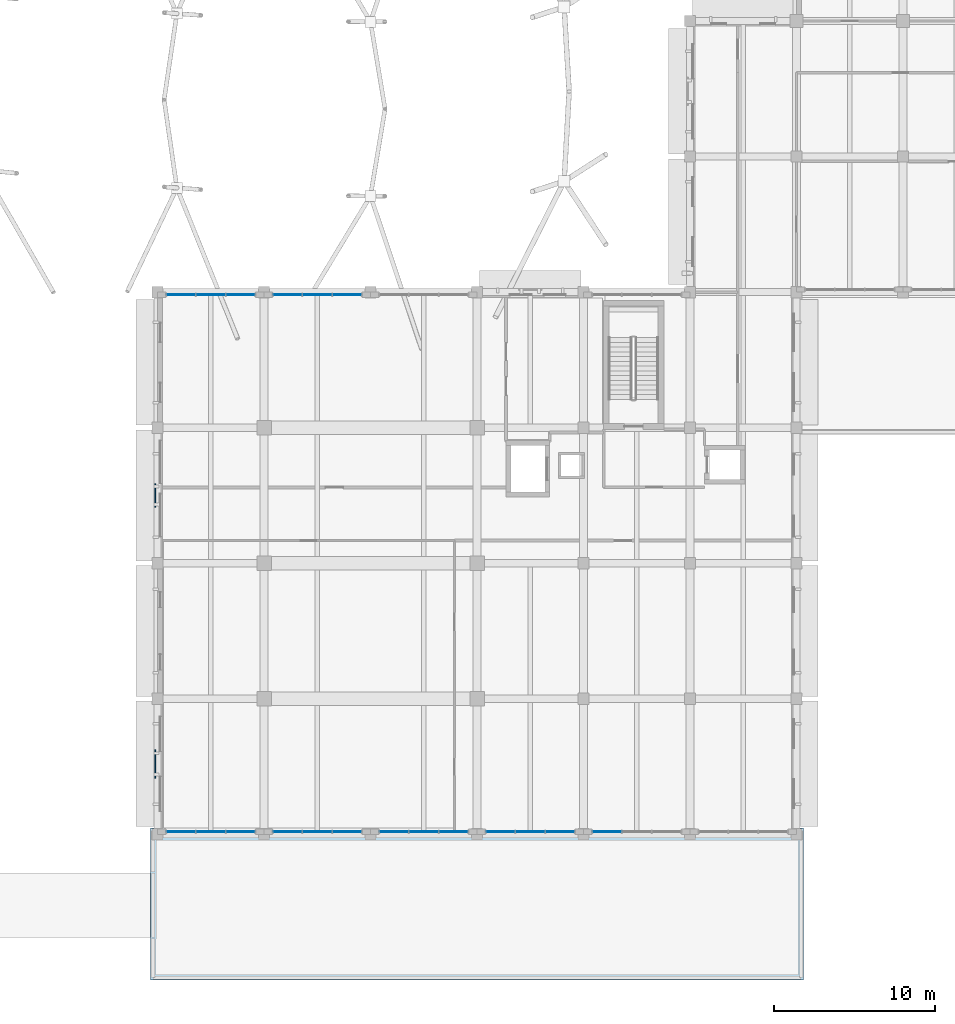
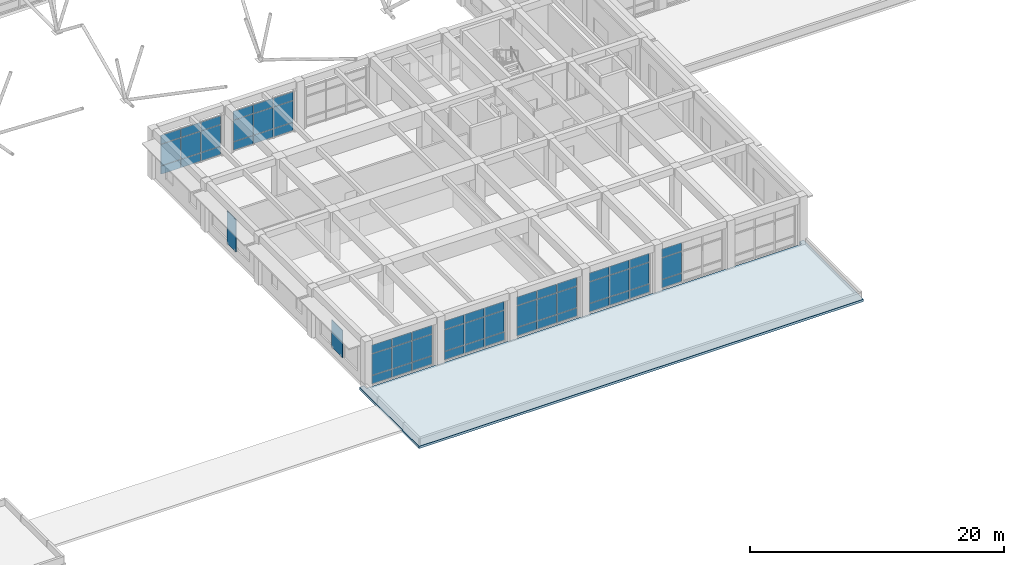
# One storey, part 33 of 75: 59 plates, 1 slab, 7 elements without a shape of their own.
"""IFC4 building model written with IfcOpenShell, lengths in metres."""

from ifc_helpers import new_model, si_unit, direction, frame, origin, origin_2d, place, context, subcontext, project, spatial, polyline, rectangle, outline, extrude, material, layer, layer_set, type_object, element, aggregate, save


model = new_model("IFC4")

# Units and contexts
model_context = context("Model", 3, precision=1e-05, world=origin(), true_north=direction((0.0, 1.0)))
body_context = subcontext(model_context, "Body", "Model", "MODEL_VIEW")
ifc_project = project(units=[si_unit("LENGTHUNIT", "METRE"), si_unit("AREAUNIT", "SQUARE_METRE"), si_unit("VOLUMEUNIT", "CUBIC_METRE"), si_unit("PLANEANGLEUNIT", "RADIAN"), si_unit("MASSUNIT", "GRAM", prefix="KILO")], contexts=[model_context])

# Site, building, storey
site_placement = place(None, origin())
site = spatial("IfcSite", under=ifc_project, at=site_placement, CompositionType="ELEMENT")
building_placement = place(site_placement, origin())
building = spatial("IfcBuilding", under=site, at=building_placement, Name="Kolvaren Faculty of Natural Sciences", CompositionType="ELEMENT")
storey_placement = place(building_placement, frame((0.0, 0.0, 5.39990234375)))
storey = spatial("IfcBuildingStorey", under=building, at=storey_placement, Name="L01", CompositionType="ELEMENT", Elevation=5.39990234375)

# Curtain wall, plate
ifc_material_1 = material(Name="Thermally broken anodised aluminium framing", Category="aluminium")
ifc_layer_1 = layer(ifc_material_1, 0.179931640625)
ifc_layer_set_1 = layer_set([ifc_layer_1], Name="Thermally broken anodised aluminium framing")
curtain_wall_type = type_object("IfcCurtainWallType", Name="CommonsCurtainWall_CW02", PredefinedType="NOTDEFINED", material=ifc_layer_set_1)
curtain_wall_1_placement = place(storey_placement, origin())
curtain_wall_1 = element("IfcCurtainWall", 1, at=curtain_wall_1_placement, inside=storey, type_object=curtain_wall_type, Name="L01 unitised curtain wall CW-02 (CW-L01-043)", PredefinedType="NOTDEFINED")
ifc_material_2 = material(Name="Double low-E solar control insulated glazing", Category="glass")
ifc_layer_2 = layer(ifc_material_2, 0.035888671875)
ifc_layer_set_2 = layer_set([ifc_layer_2], Name="Double low-E solar control insulated glazing")
plate_type_1 = type_object("IfcPlateType", Name="EnvelopePlate_CWPGL1", PredefinedType="CURTAIN_PANEL", material=ifc_layer_set_2)
plate_1_placement = place(storey_placement, frame((127.066650390625, 8.760009765625, 0.920166015625), z_axis=(0.0, 0.0, 1.0), x_axis=(-1.0, 0.0, 0.0)))
plate_1 = element("IfcPlate", 2, at=plate_1_placement, type_object=plate_type_1, Name="CW-L01-043 panel 3 V1", PredefinedType="CURTAIN_PANEL", context=body_context, shape_type="SweptSolid", body=[
    extrude(rectangle(XDim=1.783203125, YDim=0.035888671875, at=origin_2d()), origin(), (0.0, 0.0, 1.0), 2.044921875),
])

# Curtain wall, plates
curtain_wall_2_placement = place(storey_placement, origin())
curtain_wall_2 = element("IfcCurtainWall", 3, at=curtain_wall_2_placement, inside=storey, type_object=curtain_wall_type, Name="L01 unitised curtain wall CW-02 (CW-L01-044)", PredefinedType="NOTDEFINED")
plate_2_placement = place(storey_placement, frame((124.13330078125, 8.760009765625, 0.920166015625), z_axis=(0.0, 0.0, 1.0), x_axis=(-1.0, 0.0, 0.0)))
plate_2 = element("IfcPlate", 4, at=plate_2_placement, type_object=plate_type_1, Name="CW-L01-044 panel 1 V1", PredefinedType="CURTAIN_PANEL", context=body_context, shape_type="SweptSolid", body=[
    extrude(rectangle(XDim=1.783203125, YDim=0.035888671875, at=origin_2d()), origin(), (0.0, 0.0, 1.0), 2.044921875),
])
plate_3_placement = place(storey_placement, frame((122.300048828125, 8.760009765625, 0.920166015625), z_axis=(0.0, 0.0, 1.0), x_axis=(-1.0, 0.0, 0.0)))
plate_3 = element("IfcPlate", 5, at=plate_3_placement, type_object=plate_type_1, Name="CW-L01-044 panel 2 V1", PredefinedType="CURTAIN_PANEL", context=body_context, shape_type="SweptSolid", body=[
    extrude(rectangle(XDim=1.783203125, YDim=0.035888671875, at=origin_2d()), origin(), (0.0, 0.0, 1.0), 2.044921875),
])
plate_4_placement = place(storey_placement, frame((120.466796875, 8.760009765625, 0.920166015625), z_axis=(0.0, 0.0, 1.0), x_axis=(-1.0, 0.0, 0.0)))
plate_4 = element("IfcPlate", 6, at=plate_4_placement, type_object=plate_type_1, Name="CW-L01-044 panel 3 V1", PredefinedType="CURTAIN_PANEL", context=body_context, shape_type="SweptSolid", body=[
    extrude(rectangle(XDim=1.783203125, YDim=0.035888671875, at=origin_2d()), origin(), (0.0, 0.0, 1.0), 2.044921875),
])

curtain_wall_3_placement = place(storey_placement, origin())
curtain_wall_3 = element("IfcCurtainWall", 7, at=curtain_wall_3_placement, inside=storey, type_object=curtain_wall_type, Name="L01 unitised curtain wall CW-02 (CW-L01-045)", PredefinedType="NOTDEFINED")
plate_5_placement = place(storey_placement, frame((117.533203125, 8.760009765625, 0.920166015625), z_axis=(0.0, 0.0, 1.0), x_axis=(-1.0, 0.0, 0.0)))
plate_5 = element("IfcPlate", 8, at=plate_5_placement, type_object=plate_type_1, Name="CW-L01-045 panel 1 V1", PredefinedType="CURTAIN_PANEL", context=body_context, shape_type="SweptSolid", body=[
    extrude(rectangle(XDim=1.783203125, YDim=0.035888671875, at=origin_2d()), origin(), (0.0, 0.0, 1.0), 2.044921875),
])
plate_6_placement = place(storey_placement, frame((115.699951171875, 8.760009765625, 0.920166015625), z_axis=(0.0, 0.0, 1.0), x_axis=(-1.0, 0.0, 0.0)))
plate_6 = element("IfcPlate", 9, at=plate_6_placement, type_object=plate_type_1, Name="CW-L01-045 panel 2 V1", PredefinedType="CURTAIN_PANEL", context=body_context, shape_type="SweptSolid", body=[
    extrude(rectangle(XDim=1.783203125, YDim=0.035888671875, at=origin_2d()), origin(), (0.0, 0.0, 1.0), 2.044921875),
])
plate_7_placement = place(storey_placement, frame((113.86669921875, 8.760009765625, 0.920166015625), z_axis=(0.0, 0.0, 1.0), x_axis=(-1.0, 0.0, 0.0)))
plate_7 = element("IfcPlate", 10, at=plate_7_placement, type_object=plate_type_1, Name="CW-L01-045 panel 3 V1", PredefinedType="CURTAIN_PANEL", context=body_context, shape_type="SweptSolid", body=[
    extrude(rectangle(XDim=1.783203125, YDim=0.035888671875, at=origin_2d()), origin(), (0.0, 0.0, 1.0), 2.044921875),
])

curtain_wall_4_placement = place(storey_placement, origin())
curtain_wall_4 = element("IfcCurtainWall", 11, at=curtain_wall_4_placement, inside=storey, type_object=curtain_wall_type, Name="L01 unitised curtain wall CW-02 (CW-L01-046)", PredefinedType="NOTDEFINED")
plate_8_placement = place(storey_placement, frame((110.933349609375, 8.760009765625, 0.920166015625), z_axis=(0.0, 0.0, 1.0), x_axis=(-1.0, 0.0, 0.0)))
plate_8 = element("IfcPlate", 12, at=plate_8_placement, type_object=plate_type_1, Name="CW-L01-046 panel 1 V1", PredefinedType="CURTAIN_PANEL", context=body_context, shape_type="SweptSolid", body=[
    extrude(rectangle(XDim=1.783203125, YDim=0.035888671875, at=origin_2d()), origin(), (0.0, 0.0, 1.0), 2.044921875),
])
plate_9_placement = place(storey_placement, frame((109.10009765625, 8.760009765625, 0.920166015625), z_axis=(0.0, 0.0, 1.0), x_axis=(-1.0, 0.0, 0.0)))
plate_9 = element("IfcPlate", 13, at=plate_9_placement, type_object=plate_type_1, Name="CW-L01-046 panel 2 V1", PredefinedType="CURTAIN_PANEL", context=body_context, shape_type="SweptSolid", body=[
    extrude(rectangle(XDim=1.783203125, YDim=0.035888671875, at=origin_2d()), origin(), (0.0, 0.0, 1.0), 2.044921875),
])
plate_10_placement = place(storey_placement, frame((107.2666015625, 8.760009765625, 0.920166015625), z_axis=(0.0, 0.0, 1.0), x_axis=(-1.0, 0.0, 0.0)))
plate_10 = element("IfcPlate", 14, at=plate_10_placement, type_object=plate_type_1, Name="CW-L01-046 panel 3 V1", PredefinedType="CURTAIN_PANEL", context=body_context, shape_type="SweptSolid", body=[
    extrude(rectangle(XDim=1.783203125, YDim=0.035888671875, at=origin_2d()), origin(), (0.0, 0.0, 1.0), 2.044921875),
])

curtain_wall_5_placement = place(storey_placement, origin())
curtain_wall_5 = element("IfcCurtainWall", 15, at=curtain_wall_5_placement, inside=storey, type_object=curtain_wall_type, Name="L01 unitised curtain wall CW-02 (CW-L01-047)", PredefinedType="NOTDEFINED")
plate_11_placement = place(storey_placement, frame((104.333251953125, 8.760009765625, 0.920166015625), z_axis=(0.0, 0.0, 1.0), x_axis=(-1.0, 0.0, 0.0)))
plate_11 = element("IfcPlate", 16, at=plate_11_placement, type_object=plate_type_1, Name="CW-L01-047 panel 1 V1", PredefinedType="CURTAIN_PANEL", context=body_context, shape_type="SweptSolid", body=[
    extrude(rectangle(XDim=1.783203125, YDim=0.035888671875, at=origin_2d()), origin(), (0.0, 0.0, 1.0), 2.044921875),
])
plate_12_placement = place(storey_placement, frame((102.5, 8.760009765625, 0.920166015625), z_axis=(0.0, 0.0, 1.0), x_axis=(-1.0, 0.0, 0.0)))
plate_12 = element("IfcPlate", 17, at=plate_12_placement, type_object=plate_type_1, Name="CW-L01-047 panel 2 V1", PredefinedType="CURTAIN_PANEL", context=body_context, shape_type="SweptSolid", body=[
    extrude(rectangle(XDim=1.783203125, YDim=0.035888671875, at=origin_2d()), origin(), (0.0, 0.0, 1.0), 2.044921875),
])
plate_13_placement = place(storey_placement, frame((100.666748046875, 8.760009765625, 0.920166015625), z_axis=(0.0, 0.0, 1.0), x_axis=(-1.0, 0.0, 0.0)))
plate_13 = element("IfcPlate", 18, at=plate_13_placement, type_object=plate_type_1, Name="CW-L01-047 panel 3 V1", PredefinedType="CURTAIN_PANEL", context=body_context, shape_type="SweptSolid", body=[
    extrude(rectangle(XDim=1.783203125, YDim=0.035888671875, at=origin_2d()), origin(), (0.0, 0.0, 1.0), 2.044921875),
])

curtain_wall_6_placement = place(storey_placement, origin())
curtain_wall_6 = element("IfcCurtainWall", 19, at=curtain_wall_6_placement, inside=storey, type_object=curtain_wall_type, Name="L01 unitised curtain wall CW-02 (CW-L01-048)", PredefinedType="NOTDEFINED")
plate_14_placement = place(storey_placement, frame((100.666748046875, 42.0400390625, 0.920166015625), z_axis=(0.0, 0.0, 1.0), x_axis=(1.0, 0.0, 0.0)))
plate_14 = element("IfcPlate", 20, at=plate_14_placement, type_object=plate_type_1, Name="CW-L01-048 panel 1 V1", PredefinedType="CURTAIN_PANEL", context=body_context, shape_type="SweptSolid", body=[
    extrude(rectangle(XDim=1.783203125, YDim=0.035888671875, at=origin_2d()), origin(), (0.0, 0.0, 1.0), 2.044921875),
])
plate_15_placement = place(storey_placement, frame((102.5, 42.0400390625, 0.920166015625), z_axis=(0.0, 0.0, 1.0), x_axis=(1.0, 0.0, 0.0)))
plate_15 = element("IfcPlate", 21, at=plate_15_placement, type_object=plate_type_1, Name="CW-L01-048 panel 2 V1", PredefinedType="CURTAIN_PANEL", context=body_context, shape_type="SweptSolid", body=[
    extrude(rectangle(XDim=1.783203125, YDim=0.035888671875, at=origin_2d()), origin(), (0.0, 0.0, 1.0), 2.044921875),
])
plate_16_placement = place(storey_placement, frame((104.333251953125, 42.0400390625, 0.920166015625), z_axis=(0.0, 0.0, 1.0), x_axis=(1.0, 0.0, 0.0)))
plate_16 = element("IfcPlate", 22, at=plate_16_placement, type_object=plate_type_1, Name="CW-L01-048 panel 3 V1", PredefinedType="CURTAIN_PANEL", context=body_context, shape_type="SweptSolid", body=[
    extrude(rectangle(XDim=1.783203125, YDim=0.035888671875, at=origin_2d()), origin(), (0.0, 0.0, 1.0), 2.044921875),
])

curtain_wall_7_placement = place(storey_placement, origin())
curtain_wall_7 = element("IfcCurtainWall", 23, at=curtain_wall_7_placement, inside=storey, type_object=curtain_wall_type, Name="L01 unitised curtain wall CW-02 (CW-L01-049)", PredefinedType="NOTDEFINED")
plate_17_placement = place(storey_placement, frame((107.2666015625, 42.0400390625, 0.920166015625), z_axis=(0.0, 0.0, 1.0), x_axis=(1.0, 0.0, 0.0)))
plate_17 = element("IfcPlate", 24, at=plate_17_placement, type_object=plate_type_1, Name="CW-L01-049 panel 1 V1", PredefinedType="CURTAIN_PANEL", context=body_context, shape_type="SweptSolid", body=[
    extrude(rectangle(XDim=1.783203125, YDim=0.035888671875, at=origin_2d()), origin(), (0.0, 0.0, 1.0), 2.044921875),
])
plate_18_placement = place(storey_placement, frame((109.10009765625, 42.0400390625, 0.920166015625), z_axis=(0.0, 0.0, 1.0), x_axis=(1.0, 0.0, 0.0)))
plate_18 = element("IfcPlate", 25, at=plate_18_placement, type_object=plate_type_1, Name="CW-L01-049 panel 2 V1", PredefinedType="CURTAIN_PANEL", context=body_context, shape_type="SweptSolid", body=[
    extrude(rectangle(XDim=1.783203125, YDim=0.035888671875, at=origin_2d()), origin(), (0.0, 0.0, 1.0), 2.044921875),
])
plate_19_placement = place(storey_placement, frame((110.933349609375, 42.0400390625, 0.920166015625), z_axis=(0.0, 0.0, 1.0), x_axis=(1.0, 0.0, 0.0)))
plate_19 = element("IfcPlate", 26, at=plate_19_placement, type_object=plate_type_1, Name="CW-L01-049 panel 3 V1", PredefinedType="CURTAIN_PANEL", context=body_context, shape_type="SweptSolid", body=[
    extrude(rectangle(XDim=1.783203125, YDim=0.035888671875, at=origin_2d()), origin(), (0.0, 0.0, 1.0), 2.044921875),
])

# Plate
ifc_layer_3 = layer(ifc_material_2, 0.035888671875)
ifc_layer_set_3 = layer_set([ifc_layer_3], Name="Double low-E solar control insulated glazing")
plate_type_2 = type_object("IfcPlateType", Name="EnvelopePlate_CWPGL2", PredefinedType="CURTAIN_PANEL", material=ifc_layer_set_3)
plate_20_placement = place(storey_placement, frame((127.066650390625, 8.760009765625, 3.005126953125), z_axis=(0.0, 0.0, 1.0), x_axis=(-1.0, 0.0, 0.0)))
plate_20 = element("IfcPlate", 27, at=plate_20_placement, type_object=plate_type_2, Name="CW-L01-043 panel 3 V2", PredefinedType="CURTAIN_PANEL", context=body_context, shape_type="SweptSolid", body=[
    extrude(rectangle(XDim=1.783203125, YDim=0.035888671875, at=origin_2d()), origin(), (0.0, 0.0, 1.0), 0.830078125),
])

plate_21_placement = place(storey_placement, frame((124.13330078125, 8.760009765625, 3.005126953125), z_axis=(0.0, 0.0, 1.0), x_axis=(-1.0, 0.0, 0.0)))
plate_21 = element("IfcPlate", 28, at=plate_21_placement, type_object=plate_type_2, Name="CW-L01-044 panel 1 V2", PredefinedType="CURTAIN_PANEL", context=body_context, shape_type="SweptSolid", body=[
    extrude(rectangle(XDim=1.783203125, YDim=0.035888671875, at=origin_2d()), origin(), (0.0, 0.0, 1.0), 0.830078125),
])

plate_22_placement = place(storey_placement, frame((122.300048828125, 8.760009765625, 3.005126953125), z_axis=(0.0, 0.0, 1.0), x_axis=(-1.0, 0.0, 0.0)))
plate_22 = element("IfcPlate", 29, at=plate_22_placement, type_object=plate_type_2, Name="CW-L01-044 panel 2 V2", PredefinedType="CURTAIN_PANEL", context=body_context, shape_type="SweptSolid", body=[
    extrude(rectangle(XDim=1.783203125, YDim=0.035888671875, at=origin_2d()), origin(), (0.0, 0.0, 1.0), 0.830078125),
])

plate_23_placement = place(storey_placement, frame((120.466796875, 8.760009765625, 3.005126953125), z_axis=(0.0, 0.0, 1.0), x_axis=(-1.0, 0.0, 0.0)))
plate_23 = element("IfcPlate", 30, at=plate_23_placement, type_object=plate_type_2, Name="CW-L01-044 panel 3 V2", PredefinedType="CURTAIN_PANEL", context=body_context, shape_type="SweptSolid", body=[
    extrude(rectangle(XDim=1.783203125, YDim=0.035888671875, at=origin_2d()), origin(), (0.0, 0.0, 1.0), 0.830078125),
])

plate_24_placement = place(storey_placement, frame((117.533203125, 8.760009765625, 3.005126953125), z_axis=(0.0, 0.0, 1.0), x_axis=(-1.0, 0.0, 0.0)))
plate_24 = element("IfcPlate", 31, at=plate_24_placement, type_object=plate_type_2, Name="CW-L01-045 panel 1 V2", PredefinedType="CURTAIN_PANEL", context=body_context, shape_type="SweptSolid", body=[
    extrude(rectangle(XDim=1.783203125, YDim=0.035888671875, at=origin_2d()), origin(), (0.0, 0.0, 1.0), 0.830078125),
])

plate_25_placement = place(storey_placement, frame((115.699951171875, 8.760009765625, 3.005126953125), z_axis=(0.0, 0.0, 1.0), x_axis=(-1.0, 0.0, 0.0)))
plate_25 = element("IfcPlate", 32, at=plate_25_placement, type_object=plate_type_2, Name="CW-L01-045 panel 2 V2", PredefinedType="CURTAIN_PANEL", context=body_context, shape_type="SweptSolid", body=[
    extrude(rectangle(XDim=1.783203125, YDim=0.035888671875, at=origin_2d()), origin(), (0.0, 0.0, 1.0), 0.830078125),
])

plate_26_placement = place(storey_placement, frame((113.86669921875, 8.760009765625, 3.005126953125), z_axis=(0.0, 0.0, 1.0), x_axis=(-1.0, 0.0, 0.0)))
plate_26 = element("IfcPlate", 33, at=plate_26_placement, type_object=plate_type_2, Name="CW-L01-045 panel 3 V2", PredefinedType="CURTAIN_PANEL", context=body_context, shape_type="SweptSolid", body=[
    extrude(rectangle(XDim=1.783203125, YDim=0.035888671875, at=origin_2d()), origin(), (0.0, 0.0, 1.0), 0.830078125),
])

plate_27_placement = place(storey_placement, frame((110.933349609375, 8.760009765625, 3.005126953125), z_axis=(0.0, 0.0, 1.0), x_axis=(-1.0, 0.0, 0.0)))
plate_27 = element("IfcPlate", 34, at=plate_27_placement, type_object=plate_type_2, Name="CW-L01-046 panel 1 V2", PredefinedType="CURTAIN_PANEL", context=body_context, shape_type="SweptSolid", body=[
    extrude(rectangle(XDim=1.783203125, YDim=0.035888671875, at=origin_2d()), origin(), (0.0, 0.0, 1.0), 0.830078125),
])

plate_28_placement = place(storey_placement, frame((109.10009765625, 8.760009765625, 3.005126953125), z_axis=(0.0, 0.0, 1.0), x_axis=(-1.0, 0.0, 0.0)))
plate_28 = element("IfcPlate", 35, at=plate_28_placement, type_object=plate_type_2, Name="CW-L01-046 panel 2 V2", PredefinedType="CURTAIN_PANEL", context=body_context, shape_type="SweptSolid", body=[
    extrude(rectangle(XDim=1.783203125, YDim=0.035888671875, at=origin_2d()), origin(), (0.0, 0.0, 1.0), 0.830078125),
])

plate_29_placement = place(storey_placement, frame((107.2666015625, 8.760009765625, 3.005126953125), z_axis=(0.0, 0.0, 1.0), x_axis=(-1.0, 0.0, 0.0)))
plate_29 = element("IfcPlate", 36, at=plate_29_placement, type_object=plate_type_2, Name="CW-L01-046 panel 3 V2", PredefinedType="CURTAIN_PANEL", context=body_context, shape_type="SweptSolid", body=[
    extrude(rectangle(XDim=1.783203125, YDim=0.035888671875, at=origin_2d()), origin(), (0.0, 0.0, 1.0), 0.830078125),
])

plate_30_placement = place(storey_placement, frame((104.333251953125, 8.760009765625, 3.005126953125), z_axis=(0.0, 0.0, 1.0), x_axis=(-1.0, 0.0, 0.0)))
plate_30 = element("IfcPlate", 37, at=plate_30_placement, type_object=plate_type_2, Name="CW-L01-047 panel 1 V2", PredefinedType="CURTAIN_PANEL", context=body_context, shape_type="SweptSolid", body=[
    extrude(rectangle(XDim=1.783203125, YDim=0.035888671875, at=origin_2d()), origin(), (0.0, 0.0, 1.0), 0.830078125),
])

plate_31_placement = place(storey_placement, frame((102.5, 8.760009765625, 3.005126953125), z_axis=(0.0, 0.0, 1.0), x_axis=(-1.0, 0.0, 0.0)))
plate_31 = element("IfcPlate", 38, at=plate_31_placement, type_object=plate_type_2, Name="CW-L01-047 panel 2 V2", PredefinedType="CURTAIN_PANEL", context=body_context, shape_type="SweptSolid", body=[
    extrude(rectangle(XDim=1.783203125, YDim=0.035888671875, at=origin_2d()), origin(), (0.0, 0.0, 1.0), 0.830078125),
])

plate_32_placement = place(storey_placement, frame((100.666748046875, 8.760009765625, 3.005126953125), z_axis=(0.0, 0.0, 1.0), x_axis=(-1.0, 0.0, 0.0)))
plate_32 = element("IfcPlate", 39, at=plate_32_placement, type_object=plate_type_2, Name="CW-L01-047 panel 3 V2", PredefinedType="CURTAIN_PANEL", context=body_context, shape_type="SweptSolid", body=[
    extrude(rectangle(XDim=1.783203125, YDim=0.035888671875, at=origin_2d()), origin(), (0.0, 0.0, 1.0), 0.830078125),
])

plate_33_placement = place(storey_placement, frame((100.666748046875, 42.0400390625, 3.005126953125), z_axis=(0.0, 0.0, 1.0), x_axis=(1.0, 0.0, 0.0)))
plate_33 = element("IfcPlate", 40, at=plate_33_placement, type_object=plate_type_2, Name="CW-L01-048 panel 1 V2", PredefinedType="CURTAIN_PANEL", context=body_context, shape_type="SweptSolid", body=[
    extrude(rectangle(XDim=1.783203125, YDim=0.035888671875, at=origin_2d()), origin(), (0.0, 0.0, 1.0), 0.830078125),
])

plate_34_placement = place(storey_placement, frame((102.5, 42.0400390625, 3.005126953125), z_axis=(0.0, 0.0, 1.0), x_axis=(1.0, 0.0, 0.0)))
plate_34 = element("IfcPlate", 41, at=plate_34_placement, type_object=plate_type_2, Name="CW-L01-048 panel 2 V2", PredefinedType="CURTAIN_PANEL", context=body_context, shape_type="SweptSolid", body=[
    extrude(rectangle(XDim=1.783203125, YDim=0.035888671875, at=origin_2d()), origin(), (0.0, 0.0, 1.0), 0.830078125),
])

plate_35_placement = place(storey_placement, frame((104.333251953125, 42.0400390625, 3.005126953125), z_axis=(0.0, 0.0, 1.0), x_axis=(1.0, 0.0, 0.0)))
plate_35 = element("IfcPlate", 42, at=plate_35_placement, type_object=plate_type_2, Name="CW-L01-048 panel 3 V2", PredefinedType="CURTAIN_PANEL", context=body_context, shape_type="SweptSolid", body=[
    extrude(rectangle(XDim=1.783203125, YDim=0.035888671875, at=origin_2d()), origin(), (0.0, 0.0, 1.0), 0.830078125),
])

plate_36_placement = place(storey_placement, frame((107.2666015625, 42.0400390625, 3.005126953125), z_axis=(0.0, 0.0, 1.0), x_axis=(1.0, 0.0, 0.0)))
plate_36 = element("IfcPlate", 43, at=plate_36_placement, type_object=plate_type_2, Name="CW-L01-049 panel 1 V2", PredefinedType="CURTAIN_PANEL", context=body_context, shape_type="SweptSolid", body=[
    extrude(rectangle(XDim=1.783203125, YDim=0.035888671875, at=origin_2d()), origin(), (0.0, 0.0, 1.0), 0.830078125),
])

plate_37_placement = place(storey_placement, frame((109.10009765625, 42.0400390625, 3.005126953125), z_axis=(0.0, 0.0, 1.0), x_axis=(1.0, 0.0, 0.0)))
plate_37 = element("IfcPlate", 44, at=plate_37_placement, type_object=plate_type_2, Name="CW-L01-049 panel 2 V2", PredefinedType="CURTAIN_PANEL", context=body_context, shape_type="SweptSolid", body=[
    extrude(rectangle(XDim=1.783203125, YDim=0.035888671875, at=origin_2d()), origin(), (0.0, 0.0, 1.0), 0.830078125),
])

plate_38_placement = place(storey_placement, frame((110.933349609375, 42.0400390625, 3.005126953125), z_axis=(0.0, 0.0, 1.0), x_axis=(1.0, 0.0, 0.0)))
plate_38 = element("IfcPlate", 45, at=plate_38_placement, type_object=plate_type_2, Name="CW-L01-049 panel 3 V2", PredefinedType="CURTAIN_PANEL", context=body_context, shape_type="SweptSolid", body=[
    extrude(rectangle(XDim=1.783203125, YDim=0.035888671875, at=origin_2d()), origin(), (0.0, 0.0, 1.0), 0.830078125),
])

ifc_material_3 = material(Name="Insulated anodised aluminium spandrel panel", Category="aluminium")
ifc_layer_4 = layer(ifc_material_3, 0.050048828125)
ifc_layer_set_4 = layer_set([ifc_layer_4], Name="Insulated anodised aluminium spandrel panel")
plate_type_3 = type_object("IfcPlateType", Name="EnvelopePlate_CWPSP1", PredefinedType="SHEET", material=ifc_layer_set_4)
plate_39_placement = place(storey_placement, frame((127.066650390625, 8.760009765625, 0.10009765625), z_axis=(0.0, 0.0, 1.0), x_axis=(-1.0, 0.0, 0.0)))
plate_39 = element("IfcPlate", 46, at=plate_39_placement, type_object=plate_type_3, Name="CW-L01-043 panel 3 SP", PredefinedType="SHEET", context=body_context, shape_type="SweptSolid", body=[
    extrude(rectangle(XDim=1.783203125, YDim=0.050048828125, at=origin_2d()), origin(), (0.0, 0.0, 1.0), 0.780029296875),
])

aggregate(curtain_wall_1, [plate_39, plate_1, plate_20])

plate_40_placement = place(storey_placement, frame((124.13330078125, 8.760009765625, 0.10009765625), z_axis=(0.0, 0.0, 1.0), x_axis=(-1.0, 0.0, 0.0)))
plate_40 = element("IfcPlate", 47, at=plate_40_placement, type_object=plate_type_3, Name="CW-L01-044 panel 1 SP", PredefinedType="SHEET", context=body_context, shape_type="SweptSolid", body=[
    extrude(rectangle(XDim=1.783203125, YDim=0.050048828125, at=origin_2d()), origin(), (0.0, 0.0, 1.0), 0.780029296875),
])

plate_41_placement = place(storey_placement, frame((122.300048828125, 8.760009765625, 0.10009765625), z_axis=(0.0, 0.0, 1.0), x_axis=(-1.0, 0.0, 0.0)))
plate_41 = element("IfcPlate", 48, at=plate_41_placement, type_object=plate_type_3, Name="CW-L01-044 panel 2 SP", PredefinedType="SHEET", context=body_context, shape_type="SweptSolid", body=[
    extrude(rectangle(XDim=1.783203125, YDim=0.050048828125, at=origin_2d()), origin(), (0.0, 0.0, 1.0), 0.780029296875),
])

plate_42_placement = place(storey_placement, frame((120.466796875, 8.760009765625, 0.10009765625), z_axis=(0.0, 0.0, 1.0), x_axis=(-1.0, 0.0, 0.0)))
plate_42 = element("IfcPlate", 49, at=plate_42_placement, type_object=plate_type_3, Name="CW-L01-044 panel 3 SP", PredefinedType="SHEET", context=body_context, shape_type="SweptSolid", body=[
    extrude(rectangle(XDim=1.783203125, YDim=0.050048828125, at=origin_2d()), origin(), (0.0, 0.0, 1.0), 0.780029296875),
])

aggregate(curtain_wall_2, [plate_40, plate_2, plate_21, plate_41, plate_3, plate_22, plate_42, plate_4, plate_23])

plate_43_placement = place(storey_placement, frame((117.533203125, 8.760009765625, 0.10009765625), z_axis=(0.0, 0.0, 1.0), x_axis=(-1.0, 0.0, 0.0)))
plate_43 = element("IfcPlate", 50, at=plate_43_placement, type_object=plate_type_3, Name="CW-L01-045 panel 1 SP", PredefinedType="SHEET", context=body_context, shape_type="SweptSolid", body=[
    extrude(rectangle(XDim=1.783203125, YDim=0.050048828125, at=origin_2d()), origin(), (0.0, 0.0, 1.0), 0.780029296875),
])

plate_44_placement = place(storey_placement, frame((115.699951171875, 8.760009765625, 0.10009765625), z_axis=(0.0, 0.0, 1.0), x_axis=(-1.0, 0.0, 0.0)))
plate_44 = element("IfcPlate", 51, at=plate_44_placement, type_object=plate_type_3, Name="CW-L01-045 panel 2 SP", PredefinedType="SHEET", context=body_context, shape_type="SweptSolid", body=[
    extrude(rectangle(XDim=1.783203125, YDim=0.050048828125, at=origin_2d()), origin(), (0.0, 0.0, 1.0), 0.780029296875),
])

plate_45_placement = place(storey_placement, frame((113.86669921875, 8.760009765625, 0.10009765625), z_axis=(0.0, 0.0, 1.0), x_axis=(-1.0, 0.0, 0.0)))
plate_45 = element("IfcPlate", 52, at=plate_45_placement, type_object=plate_type_3, Name="CW-L01-045 panel 3 SP", PredefinedType="SHEET", context=body_context, shape_type="SweptSolid", body=[
    extrude(rectangle(XDim=1.783203125, YDim=0.050048828125, at=origin_2d()), origin(), (0.0, 0.0, 1.0), 0.780029296875),
])

aggregate(curtain_wall_3, [plate_43, plate_5, plate_24, plate_44, plate_6, plate_25, plate_45, plate_7, plate_26])

plate_46_placement = place(storey_placement, frame((110.933349609375, 8.760009765625, 0.10009765625), z_axis=(0.0, 0.0, 1.0), x_axis=(-1.0, 0.0, 0.0)))
plate_46 = element("IfcPlate", 53, at=plate_46_placement, type_object=plate_type_3, Name="CW-L01-046 panel 1 SP", PredefinedType="SHEET", context=body_context, shape_type="SweptSolid", body=[
    extrude(rectangle(XDim=1.783203125, YDim=0.050048828125, at=origin_2d()), origin(), (0.0, 0.0, 1.0), 0.780029296875),
])

plate_47_placement = place(storey_placement, frame((109.10009765625, 8.760009765625, 0.10009765625), z_axis=(0.0, 0.0, 1.0), x_axis=(-1.0, 0.0, 0.0)))
plate_47 = element("IfcPlate", 54, at=plate_47_placement, type_object=plate_type_3, Name="CW-L01-046 panel 2 SP", PredefinedType="SHEET", context=body_context, shape_type="SweptSolid", body=[
    extrude(rectangle(XDim=1.783203125, YDim=0.050048828125, at=origin_2d()), origin(), (0.0, 0.0, 1.0), 0.780029296875),
])

plate_48_placement = place(storey_placement, frame((107.2666015625, 8.760009765625, 0.10009765625), z_axis=(0.0, 0.0, 1.0), x_axis=(-1.0, 0.0, 0.0)))
plate_48 = element("IfcPlate", 55, at=plate_48_placement, type_object=plate_type_3, Name="CW-L01-046 panel 3 SP", PredefinedType="SHEET", context=body_context, shape_type="SweptSolid", body=[
    extrude(rectangle(XDim=1.783203125, YDim=0.050048828125, at=origin_2d()), origin(), (0.0, 0.0, 1.0), 0.780029296875),
])

aggregate(curtain_wall_4, [plate_46, plate_8, plate_27, plate_47, plate_9, plate_28, plate_48, plate_10, plate_29])

plate_49_placement = place(storey_placement, frame((104.333251953125, 8.760009765625, 0.10009765625), z_axis=(0.0, 0.0, 1.0), x_axis=(-1.0, 0.0, 0.0)))
plate_49 = element("IfcPlate", 56, at=plate_49_placement, type_object=plate_type_3, Name="CW-L01-047 panel 1 SP", PredefinedType="SHEET", context=body_context, shape_type="SweptSolid", body=[
    extrude(rectangle(XDim=1.783203125, YDim=0.050048828125, at=origin_2d()), origin(), (0.0, 0.0, 1.0), 0.780029296875),
])

plate_50_placement = place(storey_placement, frame((102.5, 8.760009765625, 0.10009765625), z_axis=(0.0, 0.0, 1.0), x_axis=(-1.0, 0.0, 0.0)))
plate_50 = element("IfcPlate", 57, at=plate_50_placement, type_object=plate_type_3, Name="CW-L01-047 panel 2 SP", PredefinedType="SHEET", context=body_context, shape_type="SweptSolid", body=[
    extrude(rectangle(XDim=1.783203125, YDim=0.050048828125, at=origin_2d()), origin(), (0.0, 0.0, 1.0), 0.780029296875),
])

plate_51_placement = place(storey_placement, frame((100.666748046875, 8.760009765625, 0.10009765625), z_axis=(0.0, 0.0, 1.0), x_axis=(-1.0, 0.0, 0.0)))
plate_51 = element("IfcPlate", 58, at=plate_51_placement, type_object=plate_type_3, Name="CW-L01-047 panel 3 SP", PredefinedType="SHEET", context=body_context, shape_type="SweptSolid", body=[
    extrude(rectangle(XDim=1.783203125, YDim=0.050048828125, at=origin_2d()), origin(), (0.0, 0.0, 1.0), 0.780029296875),
])

aggregate(curtain_wall_5, [plate_49, plate_11, plate_30, plate_50, plate_12, plate_31, plate_51, plate_13, plate_32])

plate_52_placement = place(storey_placement, frame((100.666748046875, 42.0400390625, 0.10009765625), z_axis=(0.0, 0.0, 1.0), x_axis=(1.0, 0.0, 0.0)))
plate_52 = element("IfcPlate", 59, at=plate_52_placement, type_object=plate_type_3, Name="CW-L01-048 panel 1 SP", PredefinedType="SHEET", context=body_context, shape_type="SweptSolid", body=[
    extrude(rectangle(XDim=1.783203125, YDim=0.050048828125, at=origin_2d()), origin(), (0.0, 0.0, 1.0), 0.780029296875),
])

plate_53_placement = place(storey_placement, frame((102.5, 42.0400390625, 0.10009765625), z_axis=(0.0, 0.0, 1.0), x_axis=(1.0, 0.0, 0.0)))
plate_53 = element("IfcPlate", 60, at=plate_53_placement, type_object=plate_type_3, Name="CW-L01-048 panel 2 SP", PredefinedType="SHEET", context=body_context, shape_type="SweptSolid", body=[
    extrude(rectangle(XDim=1.783203125, YDim=0.050048828125, at=origin_2d()), origin(), (0.0, 0.0, 1.0), 0.780029296875),
])

plate_54_placement = place(storey_placement, frame((104.333251953125, 42.0400390625, 0.10009765625), z_axis=(0.0, 0.0, 1.0), x_axis=(1.0, 0.0, 0.0)))
plate_54 = element("IfcPlate", 61, at=plate_54_placement, type_object=plate_type_3, Name="CW-L01-048 panel 3 SP", PredefinedType="SHEET", context=body_context, shape_type="SweptSolid", body=[
    extrude(rectangle(XDim=1.783203125, YDim=0.050048828125, at=origin_2d()), origin(), (0.0, 0.0, 1.0), 0.780029296875),
])

aggregate(curtain_wall_6, [plate_52, plate_14, plate_33, plate_53, plate_15, plate_34, plate_54, plate_16, plate_35])

plate_55_placement = place(storey_placement, frame((107.2666015625, 42.0400390625, 0.10009765625), z_axis=(0.0, 0.0, 1.0), x_axis=(1.0, 0.0, 0.0)))
plate_55 = element("IfcPlate", 62, at=plate_55_placement, type_object=plate_type_3, Name="CW-L01-049 panel 1 SP", PredefinedType="SHEET", context=body_context, shape_type="SweptSolid", body=[
    extrude(rectangle(XDim=1.783203125, YDim=0.050048828125, at=origin_2d()), origin(), (0.0, 0.0, 1.0), 0.780029296875),
])

plate_56_placement = place(storey_placement, frame((109.10009765625, 42.0400390625, 0.10009765625), z_axis=(0.0, 0.0, 1.0), x_axis=(1.0, 0.0, 0.0)))
plate_56 = element("IfcPlate", 63, at=plate_56_placement, type_object=plate_type_3, Name="CW-L01-049 panel 2 SP", PredefinedType="SHEET", context=body_context, shape_type="SweptSolid", body=[
    extrude(rectangle(XDim=1.783203125, YDim=0.050048828125, at=origin_2d()), origin(), (0.0, 0.0, 1.0), 0.780029296875),
])

plate_57_placement = place(storey_placement, frame((110.933349609375, 42.0400390625, 0.10009765625), z_axis=(0.0, 0.0, 1.0), x_axis=(1.0, 0.0, 0.0)))
plate_57 = element("IfcPlate", 64, at=plate_57_placement, type_object=plate_type_3, Name="CW-L01-049 panel 3 SP", PredefinedType="SHEET", context=body_context, shape_type="SweptSolid", body=[
    extrude(rectangle(XDim=1.783203125, YDim=0.050048828125, at=origin_2d()), origin(), (0.0, 0.0, 1.0), 0.780029296875),
])

aggregate(curtain_wall_7, [plate_55, plate_17, plate_36, plate_56, plate_18, plate_37, plate_57, plate_19, plate_38])

# Plates
ifc_material_4 = material(Name="Extruded architectural terracotta screen", Category="masonry")
ifc_layer_5 = layer(ifc_material_4, 0.06494140625)
ifc_layer_set_5 = layer_set([ifc_layer_5], Name="Extruded architectural terracotta screen")
plate_type_4 = type_object("IfcPlateType", Name="EnvelopePlate_JL02", PredefinedType="USERDEFINED", material=ifc_layer_set_5)
plate_58_placement = place(storey_placement, frame((99.06005859375, 12.9599609375, 0.85009765625), z_axis=(0.0, 0.0, 1.0), x_axis=(0.0, 1.0, 0.0)))
element("IfcPlate", 65, at=plate_58_placement, inside=storey, type_object=plate_type_4, Name="L01 perforated terracotta jali sun screen JL-02", ObjectType="SCREEN", PredefinedType="USERDEFINED", context=body_context, shape_type="SweptSolid", body=[
    extrude(rectangle(XDim=1.75, YDim=0.06494140625, at=origin_2d()), origin(), (0.0, 0.0, 1.0), 2.60009765625),
])
ifc_layer_6 = layer(ifc_material_4, 0.06494140625)
ifc_layer_set_6 = layer_set([ifc_layer_6], Name="Extruded architectural terracotta screen")
plate_type_5 = type_object("IfcPlateType", Name="EnvelopePlate_JL03", PredefinedType="USERDEFINED", material=ifc_layer_set_6)
plate_59_placement = place(storey_placement, frame((99.06005859375, 29.60009765625, 0.85009765625), z_axis=(0.0, 0.0, 1.0), x_axis=(0.0, 1.0, 0.0)))
element("IfcPlate", 66, at=plate_59_placement, inside=storey, type_object=plate_type_5, Name="L01 perforated terracotta jali sun screen JL-03", ObjectType="SCREEN", PredefinedType="USERDEFINED", context=body_context, shape_type="SweptSolid", body=[
    extrude(rectangle(XDim=1.449951171875, YDim=0.06494140625, at=origin_2d()), origin(), (0.0, 0.0, 1.0), 3.10009765625),
])

# Slab
ifc_material_5 = material(Name="Concrete C35/45", Category="concrete")
ifc_layer_7 = layer(ifc_material_5, 0.219970703125)
ifc_layer_set_7 = layer_set([ifc_layer_7], Name="Concrete C35/45")
slab_type = type_object("IfcSlabType", Name="FlatWingRoofSlab_220", PredefinedType="ROOF", material=ifc_layer_set_7)
slab_placement = place(storey_placement, frame((0.0, 0.0, -0.219970703125)))
element("IfcSlab", 67, at=slab_placement, inside=storey, type_object=slab_type, Name="L01 flat reinforced concrete roof slab 1", PredefinedType="ROOF", context=body_context, shape_type="SweptSolid", body=[
    extrude(outline(polyline([(99.18017578125, 8.597900390625), (99.180419921875, 8.59619140625), (99.180908203125, 8.59423828125), (99.181396484375, 8.59228515625), (99.182373046875, 8.590576171875), (99.183349609375, 8.5888671875), (99.1845703125, 8.58740234375), (99.185791015625, 8.5859375), (99.187255859375, 8.58447265625), (99.18896484375, 8.58349609375), (99.190673828125, 8.58251953125), (99.1923828125, 8.58154296875), (99.194091796875, 8.580810546875), (99.196044921875, 8.580322265625), (99.197998046875, 8.580078125), (99.199951171875, 8.580078125), (138.800048828125, 8.580078125), (138.802001953125, 8.580078125), (138.803955078125, 8.580322265625), (138.805908203125, 8.580810546875), (138.8076171875, 8.58154296875), (138.809326171875, 8.58251953125), (138.81103515625, 8.58349609375), (138.812744140625, 8.58447265625), (138.814208984375, 8.5859375), (138.8154296875, 8.58740234375), (138.816650390625, 8.5888671875), (138.817626953125, 8.590576171875), (138.818603515625, 8.59228515625), (138.819091796875, 8.59423828125), (138.819580078125, 8.59619140625), (138.81982421875, 8.597900390625), (138.820068359375, 8.60009765625), (138.820068359375, 8.97998046875), (139.22998046875, 8.97998046875), (139.22998046875, -0.429931640625), (98.77001953125, -0.429931640625), (98.77001953125, 2.177734375), (98.771240234375, 2.1787109375), (98.773193359375, 2.180908203125), (98.77490234375, 2.183349609375), (98.776611328125, 2.185791015625), (98.777587890625, 2.1884765625), (98.77880859375, 2.19140625), (98.779296875, 2.194091796875), (98.77978515625, 2.197021484375), (98.780029296875, 2.199951171875), (98.780029296875, 6.199951171875), (98.77978515625, 6.202880859375), (98.779296875, 6.205810546875), (98.77880859375, 6.208740234375), (98.777587890625, 6.21142578125), (98.776611328125, 6.214111328125), (98.77490234375, 6.216796875), (98.773193359375, 6.218994140625), (98.771240234375, 6.22119140625), (98.77001953125, 6.222412109375), (98.77001953125, 8.97998046875), (99.179931640625, 8.97998046875), (99.179931640625, 8.60009765625), (99.18017578125, 8.597900390625)])), origin(), (0.0, 0.0, 1.0), 0.219970703125),
])

save(model, "model.ifc")
